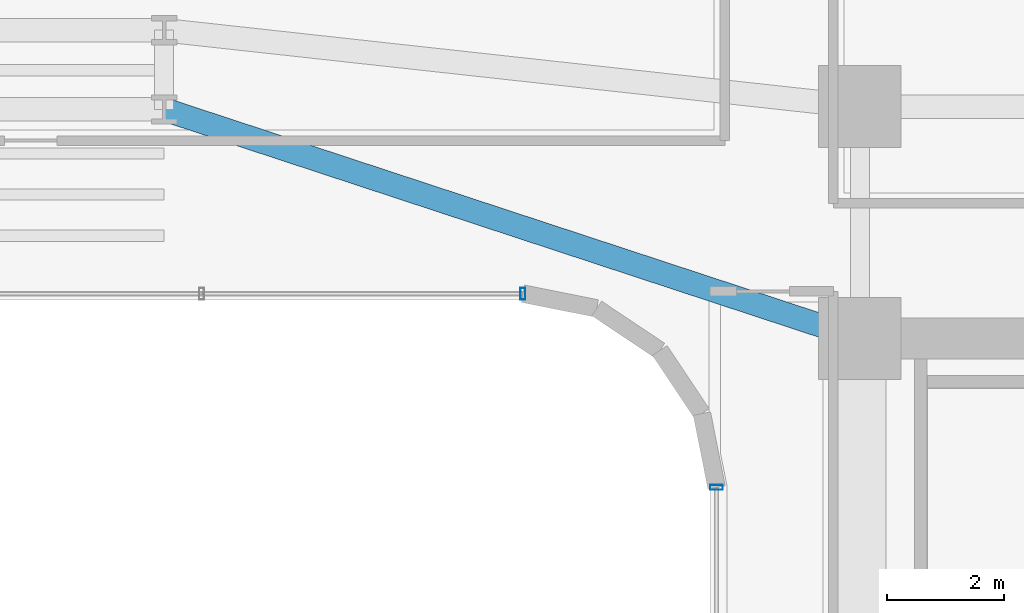
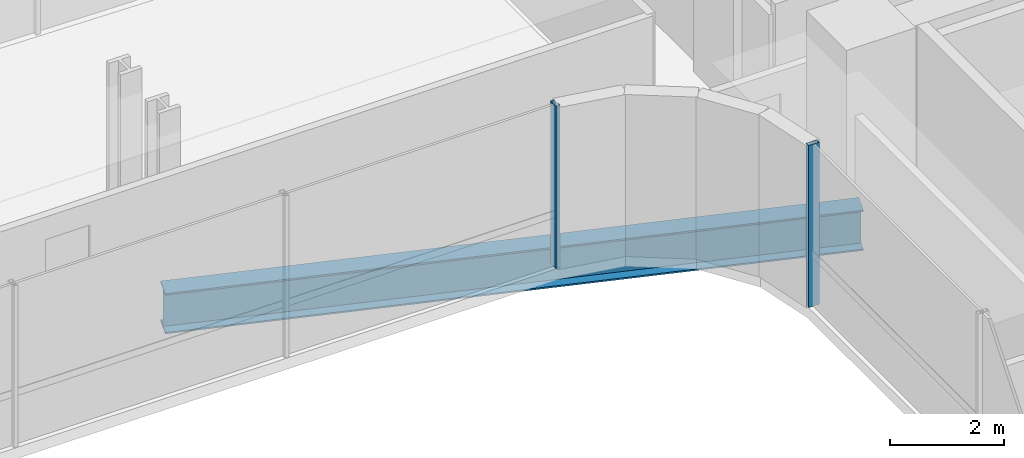
# One storey, part 15 of 39: 2 members, 1 beam, 2 elements without a shape of their own.
"""IFC4 building model written with IfcOpenShell, lengths in metres."""

from ifc_helpers import new_model, si_unit, direction, frame, origin, origin_2d, place, context, subcontext, project, spatial, hollow_rectangle, i_section, extrude, source, transform, mapped, material, material_profile, profile_set, type_object, element, aggregate, save


model = new_model("IFC4")

# Units and contexts
model_context = context("Model", 3, precision=1e-05, world=origin(), true_north=direction((0.0, 1.0)))
body_context = subcontext(model_context, "Body", "Model", "MODEL_VIEW")
ifc_project = project(units=[si_unit("LENGTHUNIT", "METRE"), si_unit("AREAUNIT", "SQUARE_METRE"), si_unit("VOLUMEUNIT", "CUBIC_METRE"), si_unit("PLANEANGLEUNIT", "RADIAN"), si_unit("MASSUNIT", "GRAM", prefix="KILO")], contexts=[model_context])

# Site, building, storey
site_placement = place(None, origin())
site = spatial("IfcSite", under=ifc_project, at=site_placement, CompositionType="ELEMENT")
building_placement = place(site_placement, origin())
building = spatial("IfcBuilding", under=site, at=building_placement, Name="Valdorenza Pilgrim Sanctuary Tower", CompositionType="ELEMENT")
storey_placement = place(building_placement, frame((0.0, 0.0, 74.10009765625)))
storey = spatial("IfcBuildingStorey", under=building, at=storey_placement, Name="L18", CompositionType="ELEMENT", Elevation=74.10009765625)

# Beam
ifc_material_1 = material(Name="Steel ASTM A992 Grade 50", Category="steel")
ifc_material_profile_1 = material_profile(ifc_material_1, i_section(OverallWidth=0.39990234375, OverallDepth=0.862060546875, WebThickness=0.019775390625, FlangeThickness=0.032470703125, at=origin_2d()), Name="W33X221")
ifc_profile_set_1 = profile_set([ifc_material_profile_1], Name="Steel ASTM A992 Grade 50")
beam_type = type_object("IfcBeamType", Name="STR-BM-GRD-W33", PredefinedType="BEAM", material=ifc_profile_set_1)
shared_shape_1 = source(origin(), body_context, "Body", "SweptSolid", [
    extrude(i_section(OverallWidth=0.39990234375, OverallDepth=0.862060546875, WebThickness=0.019775390625, FlangeThickness=0.032470703125, at=origin_2d()), origin(), (0.0, 0.0, 1.0), 12.475341796875),
])
beam_placement = place(storey_placement, frame((4.0, 13.449951171875, -0.671142578125), z_axis=(0.949881908141, -0.312608957943, 0.0), x_axis=(0.312608957943, 0.949881908141, 0.0)))
element("IfcBeam", 1, at=beam_placement, inside=storey, type_object=beam_type, Name="L18 Floor Girder KNK-G3", PredefinedType="BEAM", context=body_context, shape_type="MappedRepresentation", body=[
    mapped(shared_shape_1, transform((0.0, 0.0, 0.0), x_axis=(1.0, 0.0, 0.0), y_axis=(0.0, 1.0, 0.0), z_axis=(0.0, 0.0, 1.0), scale=1.0)),
])

# Curtain wall, member
ifc_material_2 = material(Name="Curtain-wall IGU glazing", Category="glass")
curtain_wall_type_1 = type_object("IfcCurtainWallType", Name="CW-SYS-02", PredefinedType="NOTDEFINED", material=ifc_material_2)
curtain_wall_1_placement = place(storey_placement, origin())
curtain_wall_1 = element("IfcCurtainWall", 2, at=curtain_wall_1_placement, inside=storey, type_object=curtain_wall_type_1, Name="L18 Curtain Wall CW-L18-1-36", PredefinedType="NOTDEFINED")
ifc_material_3 = material(Name="Anodised aluminium AW-6060", Category="aluminium")
ifc_material_profile_2 = material_profile(ifc_material_3, hollow_rectangle(XDim=0.0849609375, YDim=0.199951171875, WallThickness=0.0048828125, at=origin_2d()), Name="ALU-M 200x85x5")
ifc_profile_set_2 = profile_set([ifc_material_profile_2], Name="Anodised aluminium AW-6060")
member_type_1 = type_object("IfcMemberType", Name="CW-MUL-02", PredefinedType="MULLION", material=ifc_profile_set_2)
shared_shape_2 = source(origin(), body_context, "Body", "SweptSolid", [
    extrude(hollow_rectangle(XDim=0.0849609375, YDim=0.199951171875, WallThickness=0.0048828125, at=origin_2d()), origin(), (0.0, 0.0, 1.0), 3.4599609375),
])
member_1_placement = place(storey_placement, frame((10.11083984375, 10.31005859375, 0.0), z_axis=(0.0, 0.0, 1.0), x_axis=(-1.0, 0.0, 0.0)))
member_1 = element("IfcMember", 3, at=member_1_placement, type_object=member_type_1, Name="CW-L18-1-36 Mullion 1", PredefinedType="MULLION", context=body_context, shape_type="MappedRepresentation", body=[
    mapped(shared_shape_2, transform((0.0, 0.0, 0.0), x_axis=(1.0, 0.0, 0.0), y_axis=(0.0, 1.0, 0.0), z_axis=(0.0, 0.0, 1.0), scale=1.0)),
])
aggregate(curtain_wall_1, [member_1])

curtain_wall_type_2 = type_object("IfcCurtainWallType", Name="CW-SYS-03", PredefinedType="NOTDEFINED", material=ifc_material_2)
curtain_wall_2_placement = place(storey_placement, origin())
curtain_wall_2 = element("IfcCurtainWall", 4, at=curtain_wall_2_placement, inside=storey, type_object=curtain_wall_type_2, Name="L18 Curtain Wall CW-L18-1-31", PredefinedType="NOTDEFINED")
ifc_material_profile_3 = material_profile(ifc_material_3, hollow_rectangle(XDim=0.0849609375, YDim=0.219970703125, WallThickness=0.0048828125, at=origin_2d()), Name="ALU-M 220x85x5")
ifc_profile_set_3 = profile_set([ifc_material_profile_3], Name="Anodised aluminium AW-6060")
member_type_2 = type_object("IfcMemberType", Name="CW-MUL-03", PredefinedType="MULLION", material=ifc_profile_set_3)
shared_shape_3 = source(origin(), body_context, "Body", "SweptSolid", [
    extrude(hollow_rectangle(XDim=0.0849609375, YDim=0.219970703125, WallThickness=0.0048828125, at=origin_2d()), origin(), (0.0, 0.0, 1.0), 3.4599609375),
])
member_2_placement = place(storey_placement, frame((13.409912109375, 7.0107421875, 0.0), z_axis=(0.0, 0.0, 1.0), x_axis=(0.0, 1.0, 0.0)))
member_2 = element("IfcMember", 5, at=member_2_placement, type_object=member_type_2, Name="CW-L18-1-31 Mullion 4", PredefinedType="MULLION", context=body_context, shape_type="MappedRepresentation", body=[
    mapped(shared_shape_3, transform((0.0, 0.0, 0.0), x_axis=(1.0, 0.0, 0.0), y_axis=(0.0, 1.0, 0.0), z_axis=(0.0, 0.0, 1.0), scale=1.0)),
])
aggregate(curtain_wall_2, [member_2])

save(model, "model.ifc")
